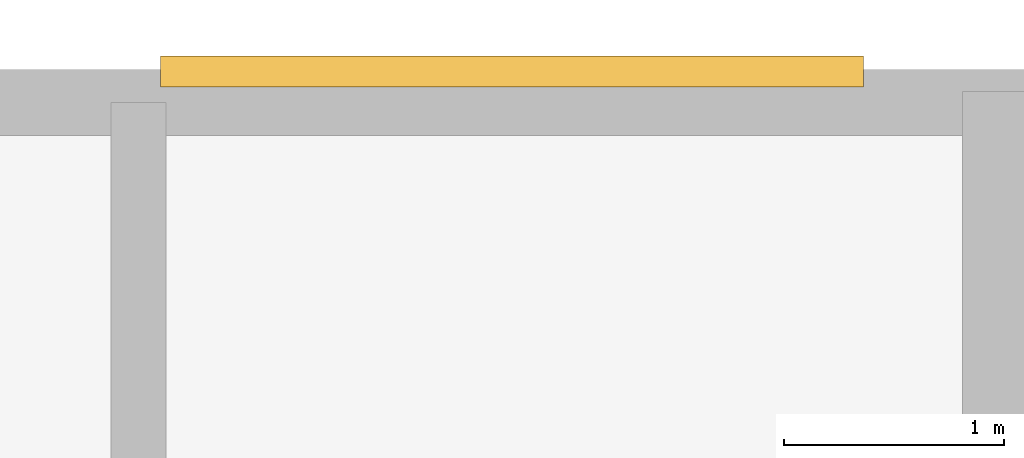
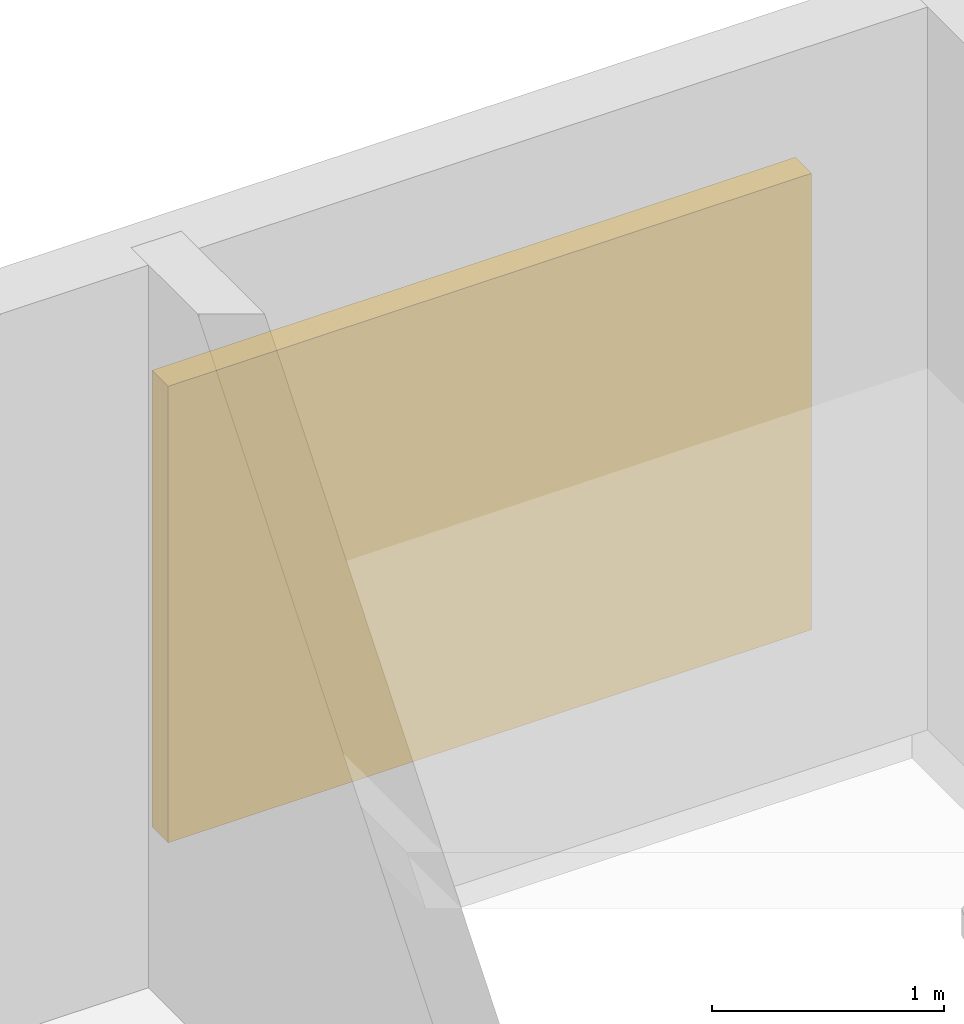
# One storey, part 23 of 23: 1 shading device.
"""IFC4 building model written with IfcOpenShell, lengths in metres."""

from ifc_helpers import new_model, si_unit, direction, frame, origin, origin_2d, place, context, subcontext, project, spatial, rectangle, extrude, material, type_object, element, save


model = new_model("IFC4")

# Units and contexts
model_context = context("Model", 3, precision=1e-05, world=origin(), true_north=direction((0.0, 1.0)))
body_context = subcontext(model_context, "Body", "Model", "MODEL_VIEW")
ifc_project = project(units=[si_unit("LENGTHUNIT", "METRE"), si_unit("AREAUNIT", "SQUARE_METRE"), si_unit("VOLUMEUNIT", "CUBIC_METRE"), si_unit("PLANEANGLEUNIT", "RADIAN"), si_unit("MASSUNIT", "GRAM", prefix="KILO")], contexts=[model_context])

# Site, building, storey
site_placement = place(None, origin())
site = spatial("IfcSite", under=ifc_project, at=site_placement, CompositionType="ELEMENT")
building_placement = place(site_placement, origin())
building = spatial("IfcBuilding", under=site, at=building_placement, Name="Catumbela Crestline Tower", CompositionType="ELEMENT")
storey_placement = place(building_placement, frame((0.0, 0.0, 241.2)))
storey = spatial("IfcBuildingStorey", under=building, at=storey_placement, Name="L62", CompositionType="ELEMENT", Elevation=241.2)

# Shading device
ifc_material = material(Name="Extruded terracotta ceramic", Category="masonry")
shading_device_type = type_object("IfcShadingDeviceType", Name="ST-180", PredefinedType="USERDEFINED", material=ifc_material)
shading_device_placement = place(storey_placement, frame((37.8, 43.04, 0.55), z_axis=(0.0, 0.0, 1.0), x_axis=(1.0, 0.0, 0.0)))
element("IfcShadingDevice", 1, at=shading_device_placement, inside=storey, type_object=shading_device_type, Name="L62 Rear Core Terracotta Brise-Soleil Screen 744", ObjectType="SCREEN", PredefinedType="USERDEFINED", context=body_context, shape_type="SweptSolid", body=[
    extrude(rectangle(XDim=3.2, YDim=0.14, at=origin_2d()), origin(), (0.0, 0.0, 1.0), 2.4),
])

save(model, "model.ifc")
